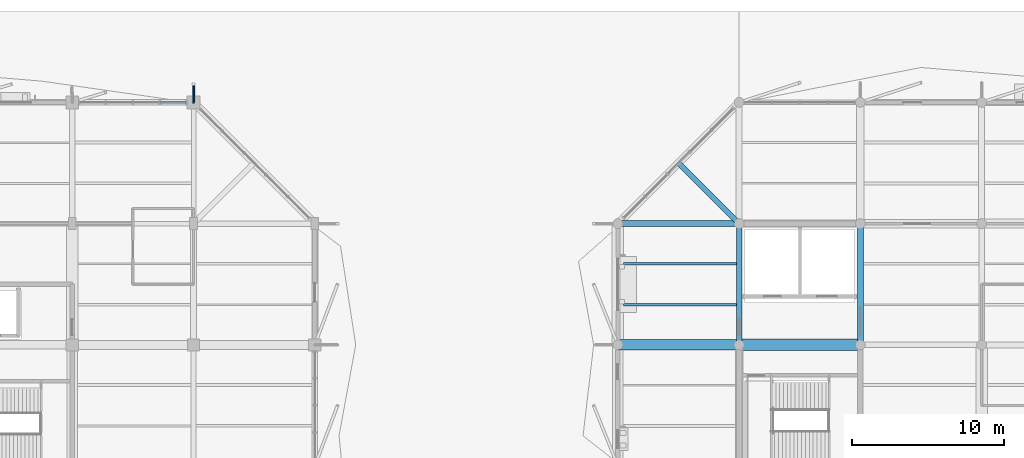
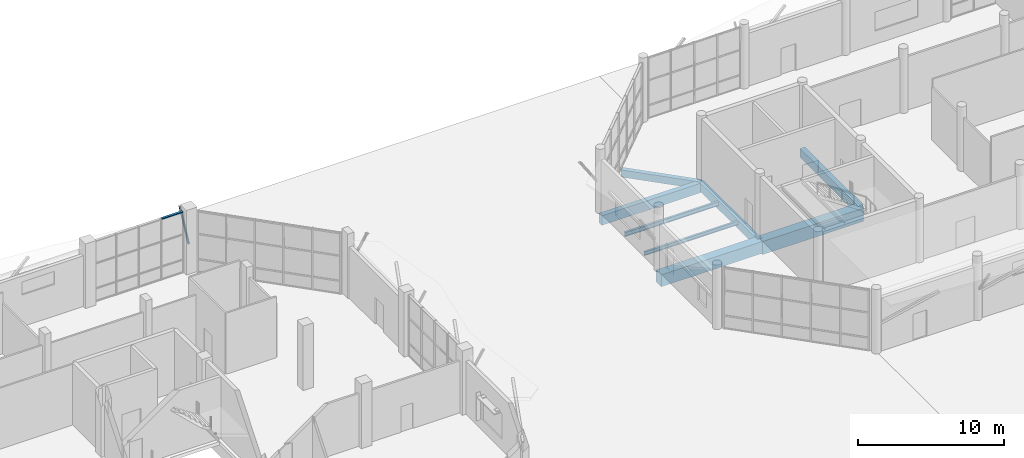
# One storey, part 49 of 123: 8 beams, 2 members, 1 element without a shape of its own.
"""IFC4 building model written with IfcOpenShell, lengths in metres."""

from ifc_helpers import new_model, si_unit, direction, frame, origin, origin_2d, place, context, subcontext, project, spatial, rectangle, hollow_circle, i_section, extrude, material, material_profile, profile_set, type_object, element, aggregate, save


model = new_model("IFC4")

# Units and contexts
model_context = context("Model", 3, precision=1e-05, world=origin(), true_north=direction((0.0, 1.0)))
body_context = subcontext(model_context, "Body", "Model", "MODEL_VIEW")
ifc_project = project(units=[si_unit("LENGTHUNIT", "METRE"), si_unit("AREAUNIT", "SQUARE_METRE"), si_unit("VOLUMEUNIT", "CUBIC_METRE"), si_unit("PLANEANGLEUNIT", "RADIAN"), si_unit("MASSUNIT", "GRAM", prefix="KILO")], contexts=[model_context])

# Site, building, storey
site_placement = place(None, origin())
site = spatial("IfcSite", under=ifc_project, at=site_placement, CompositionType="ELEMENT")
building_placement = place(site_placement, origin())
building = spatial("IfcBuilding", under=site, at=building_placement, Name="Tenunan Teduh Sports Hall", CompositionType="ELEMENT")
storey_placement = place(building_placement, origin())
storey = spatial("IfcBuildingStorey", under=building, at=storey_placement, Name="L00", CompositionType="ELEMENT", Elevation=0.0)

# Beams
ifc_material_1 = material(Name="Concrete C40/50", Category="concrete")
ifc_material_profile_1 = material_profile(ifc_material_1, rectangle(XDim=0.35009765625, YDim=0.60009765625, at=origin_2d()), Name="RCB 350x600")
ifc_profile_set_1 = profile_set([ifc_material_profile_1], Name="Concrete C40/50")
beam_type_1 = type_object("IfcBeamType", Name="BM-RC-350x600", PredefinedType="BEAM", material=ifc_profile_set_1)
beam_1_placement = place(storey_placement, frame((106.0, 110.0, -0.56005859375), z_axis=(-0.707106781187, 0.707106781187, 0.0), x_axis=(-0.707106781187, -0.707106781187, 0.0)))
element("IfcBeam", 1, at=beam_1_placement, inside=storey, type_object=beam_type_1, Name="BM-B-04-L00-2231", PredefinedType="BEAM", context=body_context, shape_type="SweptSolid", body=[
    extrude(rectangle(XDim=0.35009765625, YDim=0.60009765625, at=origin_2d()), origin(), (0.0, 0.0, 1.0), 5.65673828125),
])
ifc_material_2 = material(Name="Concrete C40/50", Category="concrete")
ifc_material_profile_2 = material_profile(ifc_material_2, rectangle(XDim=0.39990234375, YDim=0.75, at=origin_2d()), Name="RCB 400x750")
ifc_profile_set_2 = profile_set([ifc_material_profile_2], Name="Concrete C40/50")
beam_type_2 = type_object("IfcBeamType", Name="BM-RC-400x750", PredefinedType="BEAM", material=ifc_profile_set_2)
beam_2_placement = place(storey_placement, frame((114.0, 102.0, -0.655029296875), z_axis=(0.0, 1.0, 0.0), x_axis=(-1.0, 0.0, 0.0)))
element("IfcBeam", 2, at=beam_2_placement, inside=storey, type_object=beam_type_2, Name="BM-B-09-L00-0844", PredefinedType="BEAM", context=body_context, shape_type="SweptSolid", body=[
    extrude(rectangle(XDim=0.39990234375, YDim=0.75, at=origin_2d()), origin(), (0.0, 0.0, 1.0), 8.0),
])
ifc_material_3 = material(Name="Concrete C40/50", Category="concrete")
ifc_material_profile_3 = material_profile(ifc_material_3, rectangle(XDim=0.39990234375, YDim=0.800048828125, at=origin_2d()), Name="RCB 400x800")
ifc_profile_set_3 = profile_set([ifc_material_profile_3], Name="Concrete C40/50")
beam_type_3 = type_object("IfcBeamType", Name="BM-RC-400x800", PredefinedType="BEAM", material=ifc_profile_set_3)
beam_3_placement = place(storey_placement, frame((98.0, 110.0, -0.679931640625), z_axis=(1.0, 0.0, 0.0), x_axis=(0.0, 1.0, 0.0)))
element("IfcBeam", 3, at=beam_3_placement, inside=storey, type_object=beam_type_3, Name="BM-B-10-L00-0742", PredefinedType="BEAM", context=body_context, shape_type="SweptSolid", body=[
    extrude(rectangle(XDim=0.39990234375, YDim=0.800048828125, at=origin_2d()), origin(), (0.0, 0.0, 1.0), 8.0),
])
ifc_material_4 = material(Name="Concrete C40/50", Category="concrete")
ifc_material_profile_4 = material_profile(ifc_material_4, rectangle(XDim=0.699951171875, YDim=1.0, at=origin_2d()), Name="RCB 700x1000")
ifc_profile_set_4 = profile_set([ifc_material_profile_4], Name="Concrete C40/50")
beam_type_4 = type_object("IfcBeamType", Name="BM-RC-700x1000", PredefinedType="SPANDREL", material=ifc_profile_set_4)
beam_4_placement = place(storey_placement, frame((98.0, 102.0, -0.780029296875), z_axis=(1.0, 0.0, 0.0), x_axis=(0.0, 1.0, 0.0)))
element("IfcBeam", 4, at=beam_4_placement, inside=storey, type_object=beam_type_4, Name="BM-B-19-L00-0725", PredefinedType="SPANDREL", context=body_context, shape_type="SweptSolid", body=[
    extrude(rectangle(XDim=0.699951171875, YDim=1.0, at=origin_2d()), origin(), (0.0, 0.0, 1.0), 8.0),
])
ifc_material_5 = material(Name="Concrete C40/50", Category="concrete")
ifc_material_profile_5 = material_profile(ifc_material_5, rectangle(XDim=0.75, YDim=1.10009765625, at=origin_2d()), Name="RCB 750x1100")
ifc_profile_set_5 = profile_set([ifc_material_profile_5], Name="Concrete C40/50")
beam_type_5 = type_object("IfcBeamType", Name="BM-RC-750x1100", PredefinedType="SPANDREL", material=ifc_profile_set_5)
beam_5_placement = place(storey_placement, frame((106.0, 102.0, -0.830078125), z_axis=(1.0, 0.0, 0.0), x_axis=(0.0, 1.0, 0.0)))
element("IfcBeam", 5, at=beam_5_placement, inside=storey, type_object=beam_type_5, Name="BM-B-20-L00-0726", PredefinedType="SPANDREL", context=body_context, shape_type="SweptSolid", body=[
    extrude(rectangle(XDim=0.75, YDim=1.10009765625, at=origin_2d()), origin(), (0.0, 0.0, 1.0), 8.0),
])
ifc_material_6 = material(Name="Concrete C40/50", Category="concrete")
ifc_material_profile_6 = material_profile(ifc_material_6, rectangle(XDim=0.35009765625, YDim=0.719970703125, at=origin_2d()), Name="TB 350x720")
ifc_profile_set_6 = profile_set([ifc_material_profile_6], Name="Concrete C40/50")
beam_type_6 = type_object("IfcBeamType", Name="BM-TB-350x720", PredefinedType="T_BEAM", material=ifc_profile_set_6)
beam_6_placement = place(storey_placement, frame((106.0, 102.0, -0.639892578125), z_axis=(0.0, 1.0, 0.0), x_axis=(-1.0, 0.0, 0.0)))
element("IfcBeam", 6, at=beam_6_placement, inside=storey, type_object=beam_type_6, Name="BM-TB-01-L00-0840", PredefinedType="T_BEAM", context=body_context, shape_type="SweptSolid", body=[
    extrude(rectangle(XDim=0.35009765625, YDim=0.719970703125, at=origin_2d()), origin(), (0.0, 0.0, 1.0), 8.0),
])

# Curtain wall, member
ifc_material_7 = material(Name="Anodised aluminium", Category="aluminium")
curtain_wall_type = type_object("IfcCurtainWallType", Name="CW-UNIT-1", PredefinedType="NOTDEFINED", material=ifc_material_7)
curtain_wall_placement = place(storey_placement, origin())
curtain_wall = element("IfcCurtainWall", 7, at=curtain_wall_placement, inside=storey, type_object=curtain_wall_type, Name="CW-CWM-220-L00-197", PredefinedType="NOTDEFINED")
ifc_material_8 = material(Name="Anodised aluminium", Category="aluminium")
ifc_material_profile_7 = material_profile(ifc_material_8, rectangle(XDim=0.074951171875, YDim=0.179931640625, at=origin_2d()), Name="CWT 75x180")
ifc_profile_set_7 = profile_set([ifc_material_profile_7], Name="Anodised aluminium")
member_type_1 = type_object("IfcMemberType", Name="CWT-180", PredefinedType="USERDEFINED", material=ifc_profile_set_7)
member_1_placement = place(storey_placement, frame((67.824951171875, 118.0, 5.08251953125), z_axis=(1.0, 0.0, 0.0), x_axis=(0.0, 0.0, 1.0)))
member_1 = element("IfcMember", 8, at=member_1_placement, type_object=member_type_1, Name="CW-01 transom 4.4", ObjectType="TRANSOM", PredefinedType="USERDEFINED", context=body_context, shape_type="SweptSolid", body=[
    extrude(rectangle(XDim=0.074951171875, YDim=0.179931640625, at=origin_2d()), origin(), (0.0, 0.0, 1.0), 1.675048828125),
])
aggregate(curtain_wall, [member_1])

# Member
ifc_material_9 = material(Name="Steel S355", Category="steel")
ifc_material_profile_8 = material_profile(ifc_material_9, hollow_circle(Radius=0.084228515625, WallThickness=0.008056640625, at=origin_2d()), Name="CHS 168.3x8.0")
ifc_profile_set_8 = profile_set([ifc_material_profile_8], Name="Steel S355")
member_type_2 = type_object("IfcMemberType", Name="MEM-BR-CHS168", PredefinedType="BRACE", material=ifc_profile_set_8)
member_2_placement = place(storey_placement, frame((70.0, 118.0, 2.199951171875), z_axis=(0.0, 0.444210511522, 0.895922441651), x_axis=(-1.0, 0.0, 0.0)))
element("IfcMember", 9, at=member_2_placement, inside=storey, type_object=member_type_2, Name="MEM-GD-04-L00-1121", PredefinedType="BRACE", context=body_context, shape_type="SweptSolid", body=[
    extrude(hollow_circle(Radius=0.084228515625, WallThickness=0.008056640625, at=origin_2d()), origin(), (0.0, 0.0, 1.0), 2.701416015625),
])

# Beams
ifc_material_10 = material(Name="Steel S355", Category="steel")
ifc_material_profile_9 = material_profile(ifc_material_10, i_section(OverallWidth=0.1650390625, OverallDepth=0.303466796875, WebThickness=0.006103515625, FlangeThickness=0.01025390625, FilletRadius=0.0087890625, at=origin_2d()), Name="UKB 305x165x40")
ifc_profile_set_9 = profile_set([ifc_material_profile_9], Name="Steel S355")
beam_type_7 = type_object("IfcBeamType", Name="SBM-UKB305", PredefinedType="BEAM", material=ifc_profile_set_9)
beam_7_placement = place(storey_placement, frame((98.375, 104.64990234375, -0.431640625), z_axis=(1.0, 0.0, 0.0), x_axis=(0.0, 1.0, 0.0)))
element("IfcBeam", 10, at=beam_7_placement, inside=storey, type_object=beam_type_7, Name="BM-SB-01-L00-0986", PredefinedType="BEAM", context=body_context, shape_type="SweptSolid", body=[
    extrude(i_section(OverallWidth=0.1650390625, OverallDepth=0.303466796875, WebThickness=0.006103515625, FlangeThickness=0.01025390625, FilletRadius=0.0087890625, at=origin_2d()), origin(), (0.0, 0.0, 1.0), 7.449951171875),
])
ifc_material_11 = material(Name="Steel S355", Category="steel")
ifc_material_profile_10 = material_profile(ifc_material_11, i_section(OverallWidth=0.17138671875, OverallDepth=0.35498046875, WebThickness=0.00732421875, FlangeThickness=0.011474609375, FilletRadius=0.01025390625, at=origin_2d()), Name="UKB 356x171x51")
ifc_profile_set_10 = profile_set([ifc_material_profile_10], Name="Steel S355")
beam_type_8 = type_object("IfcBeamType", Name="SBM-UKB356", PredefinedType="BEAM", material=ifc_profile_set_10)
beam_8_placement = place(storey_placement, frame((98.375, 107.35009765625, -0.45751953125), z_axis=(1.0, 0.0, 0.0), x_axis=(0.0, 1.0, 0.0)))
element("IfcBeam", 11, at=beam_8_placement, inside=storey, type_object=beam_type_8, Name="BM-SB-02-L00-0987", PredefinedType="BEAM", context=body_context, shape_type="SweptSolid", body=[
    extrude(i_section(OverallWidth=0.17138671875, OverallDepth=0.35498046875, WebThickness=0.00732421875, FlangeThickness=0.011474609375, FilletRadius=0.01025390625, at=origin_2d()), origin(), (0.0, 0.0, 1.0), 7.449951171875),
])

save(model, "model.ifc")
